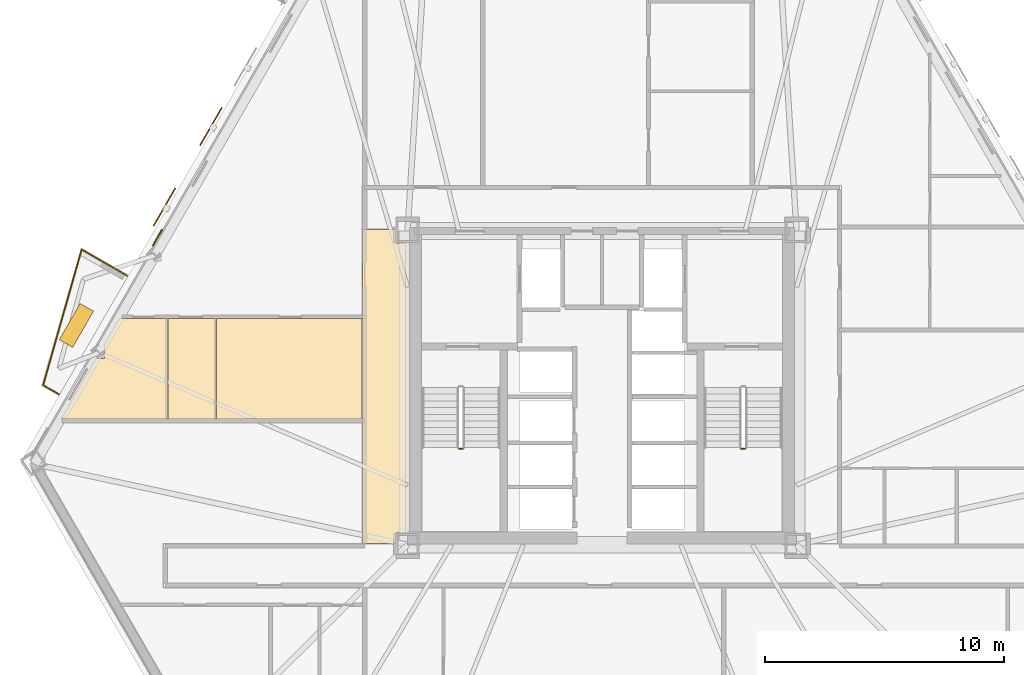
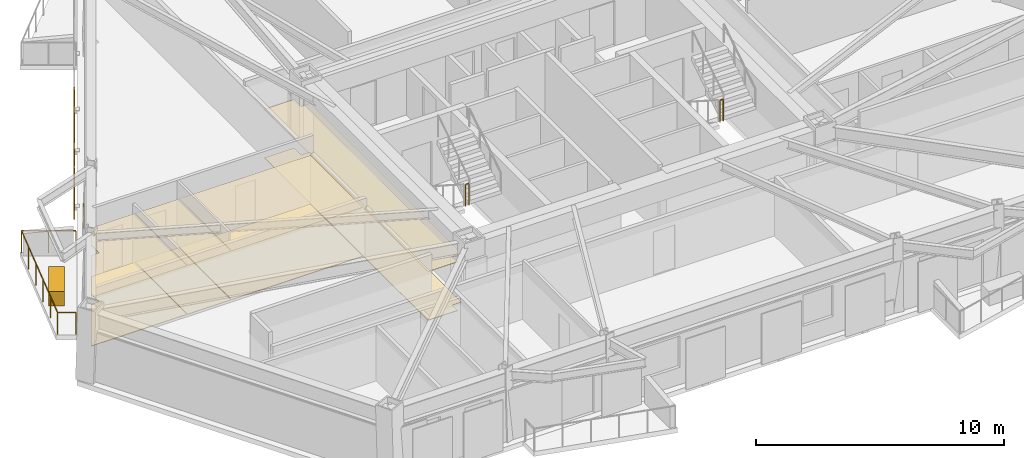
# One storey, part 8 of 10: 10 coverings, 5 railings, 2 shading devices.
"""IFC4 building model written with IfcOpenShell, lengths in metres."""

from ifc_helpers import new_model, si_unit, direction, frame, origin, origin_2d, place, context, subcontext, project, spatial, polyline, rectangle, circle, outline, extrude, material, layer, layer_set, type_object, element, save


model = new_model("IFC4")

# Units and contexts
model_context = context("Model", 3, precision=1e-05, world=origin(), true_north=direction((0.0, 1.0)))
body_context = subcontext(model_context, "Body", "Model", "MODEL_VIEW")
ifc_project = project(units=[si_unit("LENGTHUNIT", "METRE"), si_unit("AREAUNIT", "SQUARE_METRE"), si_unit("VOLUMEUNIT", "CUBIC_METRE"), si_unit("PLANEANGLEUNIT", "RADIAN"), si_unit("MASSUNIT", "GRAM", prefix="KILO")], contexts=[model_context])

# Site, building, storey
site_placement = place(None, origin())
site = spatial("IfcSite", under=ifc_project, at=site_placement, CompositionType="ELEMENT")
building_placement = place(site_placement, origin())
building = spatial("IfcBuilding", under=site, at=building_placement, Name="Oramaril Tower", CompositionType="ELEMENT")
storey_placement = place(building_placement, frame((0.0, 0.0, 59.699951171875)))
storey = spatial("IfcBuildingStorey", under=building, at=storey_placement, Name="L15", CompositionType="ELEMENT", Elevation=59.699951171875)

# Coverings
ifc_material_1 = material(Name="Mineral Fibre Acoustic Ceiling")
ifc_layer_1 = layer(ifc_material_1, 0.02001953125)
ifc_layer_set_1 = layer_set([ifc_layer_1], Name="CVT-CEIL")
covering_type_1 = type_object("IfcCoveringType", Name="CVT-CEIL", PredefinedType="CEILING", material=ifc_layer_set_1)
covering_1_placement = place(storey_placement, frame((0.0, 0.0, 2.400146484375)))
element("IfcCovering", 1, at=covering_1_placement, inside=storey, type_object=covering_type_1, Name="L15 Acoustic Suspended Ceiling 3", PredefinedType="CEILING", context=body_context, shape_type="SweptSolid", body=[
    extrude(outline(polyline([(28.85498046875, 23.655029296875), (29.280029296875, 23.655029296875), (29.280029296875, 11.4951171875), (28.85498046875, 11.4951171875), (28.85498046875, 11.050048828125), (27.469970703125, 11.050048828125), (27.469970703125, 24.219970703125), (28.85498046875, 24.219970703125), (28.85498046875, 23.655029296875)])), origin(), (0.0, 0.0, 1.0), 0.02001953125),
])
covering_2_placement = place(storey_placement, frame((0.0, 0.0, 2.400146484375)))
element("IfcCovering", 2, at=covering_2_placement, inside=storey, type_object=covering_type_1, Name="L15 Acoustic Suspended Ceiling 14", PredefinedType="CEILING", context=body_context, shape_type="SweptSolid", body=[
    extrude(outline(polyline([(16.657958984375, 18.812255859375), (16.657958984375, 19.361083984375), (16.6142578125, 19.361083984375), (17.266357421875, 20.49072265625), (17.266845703125, 20.490478515625), (17.2685546875, 20.489501953125), (17.2705078125, 20.489013671875), (17.2724609375, 20.48828125), (17.2744140625, 20.488037109375), (17.2763671875, 20.488037109375), (19.281005859375, 20.488037109375), (19.281005859375, 16.261962890625), (14.824951171875, 16.261962890625), (16.29736328125, 18.812255859375), (16.657958984375, 18.812255859375)])), origin(), (0.0, 0.0, 1.0), 0.02001953125),
])
covering_3_placement = place(storey_placement, frame((0.0, 0.0, 2.400146484375)))
element("IfcCovering", 3, at=covering_3_placement, inside=storey, type_object=covering_type_1, Name="L15 Acoustic Suspended Ceiling 15", PredefinedType="CEILING", context=body_context, shape_type="SweptSolid", body=[
    extrude(outline(polyline([(21.3310546875, 16.261962890625), (19.301025390625, 16.261962890625), (19.301025390625, 20.488037109375), (21.3310546875, 20.488037109375), (21.3310546875, 16.261962890625)])), origin(), (0.0, 0.0, 1.0), 0.02001953125),
])
covering_4_placement = place(storey_placement, frame((0.0, 0.0, 2.400146484375)))
element("IfcCovering", 4, at=covering_4_placement, inside=storey, type_object=covering_type_1, Name="L15 Acoustic Suspended Ceiling 16", PredefinedType="CEILING", context=body_context, shape_type="SweptSolid", body=[
    extrude(outline(polyline([(21.35107421875, 20.488037109375), (27.449951171875, 20.488037109375), (27.449951171875, 16.261962890625), (21.35107421875, 16.261962890625), (21.35107421875, 20.488037109375)])), origin(), (0.0, 0.0, 1.0), 0.02001953125),
])
ifc_material_2 = material(Name="Warm Cream Limestone", Category="masonry")
ifc_layer_2 = layer(ifc_material_2, 0.050048828125)
ifc_layer_set_2 = layer_set([ifc_layer_2], Name="CVT-CLD")
covering_type_2 = type_object("IfcCoveringType", Name="CVT-CLD", PredefinedType="CLADDING", material=ifc_layer_set_2)
covering_5_placement = place(storey_placement, frame((18.872314453125, 23.874267578125, 0.0400390625), z_axis=(0.0, 0.0, 1.0), x_axis=(-0.4999984885, -0.866026276448, 0.0)))
element("IfcCovering", 5, at=covering_5_placement, inside=storey, type_object=covering_type_2, Name="L15 Warm Cream Limestone Spandrel Cladding", PredefinedType="CLADDING", context=body_context, shape_type="SweptSolid", body=[
    extrude(rectangle(XDim=0.800048828125, YDim=0.050048828125, at=origin_2d()), origin(), (0.0, 0.0, 1.0), 0.679931640625),
])
covering_6_placement = place(storey_placement, frame((15.47265625, 20.193115234375, 0.0), z_axis=(0.0, 0.0, 1.0), x_axis=(-0.4999984885, -0.866026276448, 0.0)))
element("IfcCovering", 6, at=covering_6_placement, inside=storey, type_object=covering_type_2, Name="L15 Structural Tree Planter Box L15-BAL-NW2", PredefinedType="CLADDING", context=body_context, shape_type="SweptSolid", body=[
    extrude(rectangle(XDim=1.75, YDim=0.64990234375, at=origin_2d()), origin(), (0.0, 0.0, 1.0), 0.699951171875),
])
ifc_material_3 = material(Name="Honed Quartzite Stone Flooring", Category="masonry")
ifc_layer_3 = layer(ifc_material_3, 0.02490234375)
ifc_layer_set_3 = layer_set([ifc_layer_3], Name="CVT-FLR")
covering_type_3 = type_object("IfcCoveringType", Name="CVT-FLR", PredefinedType="FLOORING", material=ifc_layer_set_3)
covering_7_placement = place(storey_placement, origin())
element("IfcCovering", 7, at=covering_7_placement, inside=storey, type_object=covering_type_3, Name="L15 Honed Stone Floor Finish 3", PredefinedType="FLOORING", context=body_context, shape_type="SweptSolid", body=[
    extrude(outline(polyline([(28.85498046875, 23.655029296875), (29.280029296875, 23.655029296875), (29.280029296875, 11.4951171875), (28.85498046875, 11.4951171875), (28.85498046875, 11.050048828125), (27.469970703125, 11.050048828125), (27.469970703125, 24.219970703125), (28.85498046875, 24.219970703125), (28.85498046875, 23.655029296875)])), origin(), (0.0, 0.0, 1.0), 0.025146484375),
])
covering_8_placement = place(storey_placement, origin())
element("IfcCovering", 8, at=covering_8_placement, inside=storey, type_object=covering_type_3, Name="L15 Honed Stone Floor Finish 14", PredefinedType="FLOORING", context=body_context, shape_type="SweptSolid", body=[
    extrude(outline(polyline([(16.657958984375, 18.812255859375), (16.657958984375, 19.361083984375), (16.6142578125, 19.361083984375), (17.266357421875, 20.49072265625), (17.266845703125, 20.490478515625), (17.2685546875, 20.489501953125), (17.2705078125, 20.489013671875), (17.2724609375, 20.48828125), (17.2744140625, 20.488037109375), (17.2763671875, 20.488037109375), (19.281005859375, 20.488037109375), (19.281005859375, 16.261962890625), (14.824951171875, 16.261962890625), (16.29736328125, 18.812255859375), (16.657958984375, 18.812255859375)])), origin(), (0.0, 0.0, 1.0), 0.025146484375),
])
covering_9_placement = place(storey_placement, origin())
element("IfcCovering", 9, at=covering_9_placement, inside=storey, type_object=covering_type_3, Name="L15 Honed Stone Floor Finish 15", PredefinedType="FLOORING", context=body_context, shape_type="SweptSolid", body=[
    extrude(outline(polyline([(21.3310546875, 16.261962890625), (19.301025390625, 16.261962890625), (19.301025390625, 20.488037109375), (21.3310546875, 20.488037109375), (21.3310546875, 16.261962890625)])), origin(), (0.0, 0.0, 1.0), 0.025146484375),
])
covering_10_placement = place(storey_placement, origin())
element("IfcCovering", 10, at=covering_10_placement, inside=storey, type_object=covering_type_3, Name="L15 Honed Stone Floor Finish 16", PredefinedType="FLOORING", context=body_context, shape_type="SweptSolid", body=[
    extrude(outline(polyline([(21.35107421875, 20.488037109375), (27.449951171875, 20.488037109375), (27.449951171875, 16.261962890625), (21.35107421875, 16.261962890625), (21.35107421875, 20.488037109375)])), origin(), (0.0, 0.0, 1.0), 0.025146484375),
])

# Railings
ifc_material_4 = material(Name="Stainless Steel 316L", Category="steel")
railing_type = type_object("IfcRailingType", Name="RLT-GRD", PredefinedType="GUARDRAIL", material=ifc_material_4)
railing_1_placement = place(storey_placement, frame((14.722900390625, 17.317626953125, 0.0)))
element("IfcRailing", 11, at=railing_1_placement, inside=storey, type_object=railing_type, Name="L15 Balcony Guardrail L15-BAL-NW2.1", PredefinedType="GUARDRAIL", context=body_context, shape_type="SweptSolid", body=[
    extrude(circle(Radius=0.02392578125, at=origin_2d()), frame((0.0, 0.0, 1.076171875), z_axis=(-0.865884080729, 0.500244698863, 0.0), x_axis=(-0.500244698863, -0.865884080729, 0.0)), (0.0, 0.0, 1.0), 0.741943359375),
    extrude(circle(Radius=0.02099609375, at=origin_2d()), origin(), (0.0, 0.0, 1.0), 1.052001953125),
    extrude(circle(Radius=0.02099609375, at=origin_2d()), frame((-0.642333984375, 0.37109375, 0.0)), (0.0, 0.0, 1.0), 1.052001953125),
])
railing_2_placement = place(storey_placement, frame((14.08056640625, 17.688720703125, 0.0)))
element("IfcRailing", 12, at=railing_2_placement, inside=storey, type_object=railing_type, Name="L15 Balcony Guardrail L15-BAL-NW2.2", PredefinedType="GUARDRAIL", context=body_context, shape_type="SweptSolid", body=[
    extrude(circle(Radius=0.02392578125, at=origin_2d()), frame((0.0, 0.0, 1.076171875), z_axis=(0.27224886544, 0.962226873074, 0.0), x_axis=(-0.962226873074, 0.27224886544, 0.0)), (0.0, 0.0, 1.0), 5.910400390625),
    extrude(circle(Radius=0.02099609375, at=origin_2d()), origin(), (0.0, 0.0, 1.0), 1.052001953125),
    extrude(circle(Radius=0.02099609375, at=origin_2d()), frame((0.32177734375, 1.137451171875, 0.0)), (0.0, 0.0, 1.0), 1.052001953125),
    extrude(circle(Radius=0.02099609375, at=origin_2d()), frame((0.6435546875, 2.27490234375, 0.0)), (0.0, 0.0, 1.0), 1.052001953125),
    extrude(circle(Radius=0.02099609375, at=origin_2d()), frame((0.965576171875, 3.412353515625, 0.0)), (0.0, 0.0, 1.0), 1.052001953125),
    extrude(circle(Radius=0.02099609375, at=origin_2d()), frame((1.287353515625, 4.5498046875, 0.0)), (0.0, 0.0, 1.0), 1.052001953125),
    extrude(circle(Radius=0.02099609375, at=origin_2d()), frame((1.609130859375, 5.687255859375, 0.0)), (0.0, 0.0, 1.0), 1.052001953125),
])
railing_3_placement = place(storey_placement, frame((15.689697265625, 23.3759765625, 0.0)))
element("IfcRailing", 13, at=railing_3_placement, inside=storey, type_object=railing_type, Name="L15 Balcony Guardrail L15-BAL-NW2.3", PredefinedType="GUARDRAIL", context=body_context, shape_type="SweptSolid", body=[
    extrude(circle(Radius=0.02392578125, at=origin_2d()), frame((0.0, 0.0, 1.076171875), z_axis=(0.865972267571, -0.50009202333, 0.0), x_axis=(0.50009202333, 0.865972267571, 0.0)), (0.0, 0.0, 1.0), 2.19189453125),
    extrude(circle(Radius=0.02099609375, at=origin_2d()), origin(), (0.0, 0.0, 1.0), 1.052001953125),
    extrude(circle(Radius=0.02099609375, at=origin_2d()), frame((0.94921875, -0.548095703125, 0.0)), (0.0, 0.0, 1.0), 1.052001953125),
    extrude(circle(Radius=0.02099609375, at=origin_2d()), frame((1.898193359375, -1.09619140625, 0.0)), (0.0, 0.0, 1.0), 1.052001953125),
])
for number, where, name in (
    (14, (31.510009765625, 15.02001953125, 1.800048828125), "L15 ST-1 stair guard 2"),
    (15, (43.340087890625, 15.02001953125, 1.800048828125), "L15 ST-2 stair guard 2"),
):
    element("IfcRailing", number, at=place(storey_placement, frame(where)), inside=storey, type_object=railing_type, Name=name, PredefinedType="GUARDRAIL", context=body_context, shape_type="SweptSolid", body=[
        extrude(circle(Radius=0.02392578125, at=origin_2d()), frame((0.0, 0.0, 1.076171875), z_axis=(1.0, 0.0, 0.0), x_axis=(0.0, 1.0, 0.0)), (0.0, 0.0, 1.0), 0.14990234375),
        extrude(circle(Radius=0.02099609375, at=origin_2d()), origin(), (0.0, 0.0, 1.0), 1.052001953125),
        extrude(circle(Radius=0.02099609375, at=origin_2d()), frame((0.14990234375, 0.0, 0.0)), (0.0, 0.0, 1.0), 1.052001953125),
    ])

# Shading devices
for number, where, z_axis, x_axis, name in (
    (16, (21.11279296875, 28.52880859375, -0.02001953125), (0.0, 0.0, 1.0), (-0.4999984885, -0.866026276448, 0.0), "L15 Perforated Ceramic Solar Screen"),
    (17, (19.162841796875, 25.1513671875, -0.02001953125), (0.0, 0.0, 1.0), (-0.4999984885, -0.866026276448, 0.0), "L15 Perforated Ceramic Solar Screen"),
):
    element("IfcShadingDevice", number, at=place(storey_placement, frame(where, z_axis=z_axis, x_axis=x_axis)), inside=storey, Name=name, ObjectType="SCREEN", PredefinedType="USERDEFINED", context=body_context, shape_type="SweptSolid", body=[
        extrude(rectangle(XDim=1.8330078125, YDim=0.050048828125, at=origin_2d()), origin(), (0.0, 0.0, 1.0), 2.493896484375),
    ])

save(model, "model.ifc")
